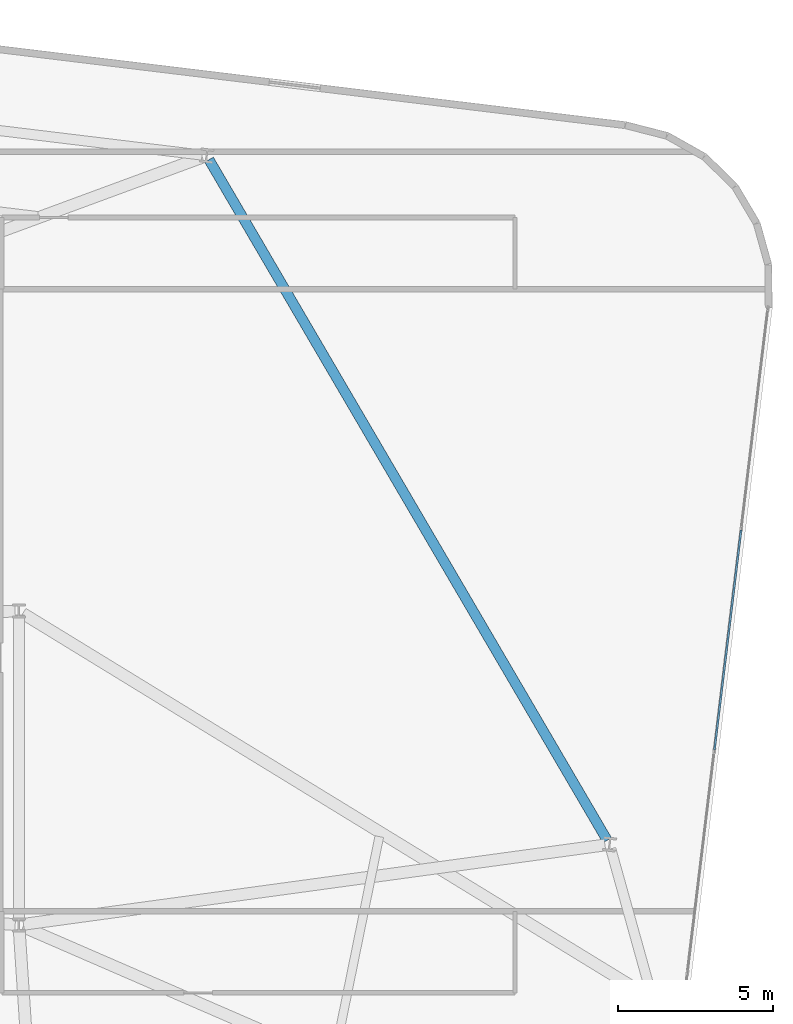
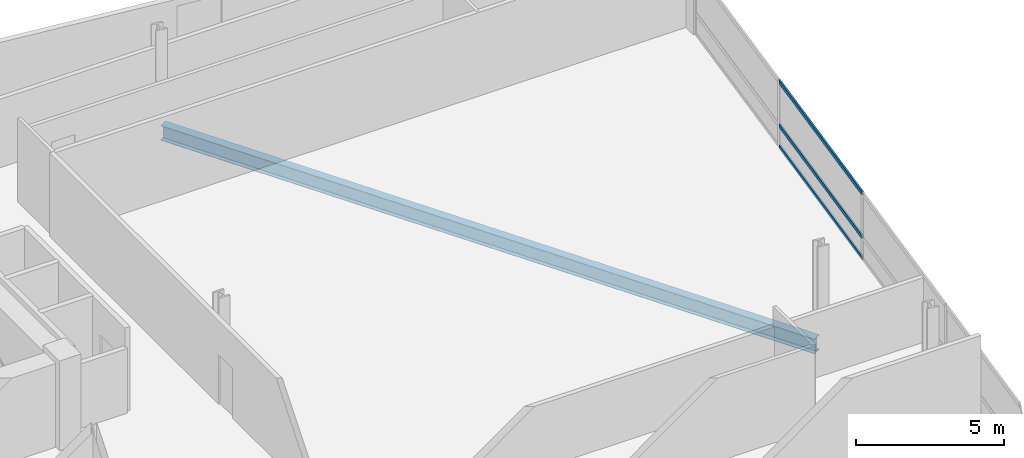
# One storey, part 17 of 26: 3 members, 1 beam, 1 element without a shape of its own.
"""IFC4 building model written with IfcOpenShell, lengths in metres."""

from ifc_helpers import new_model, si_unit, direction, frame, origin, origin_2d, place, context, subcontext, project, spatial, hollow_rectangle, i_section, extrude, material, layer, layer_set, material_profile, profile_set, type_object, element, aggregate, save


model = new_model("IFC4")

# Units and contexts
model_context = context("Model", 3, precision=1e-05, world=origin(), true_north=direction((0.0, 1.0)))
body_context = subcontext(model_context, "Body", "Model", "MODEL_VIEW")
ifc_project = project(units=[si_unit("LENGTHUNIT", "METRE"), si_unit("AREAUNIT", "SQUARE_METRE"), si_unit("VOLUMEUNIT", "CUBIC_METRE"), si_unit("PLANEANGLEUNIT", "RADIAN"), si_unit("MASSUNIT", "GRAM", prefix="KILO")], contexts=[model_context])

# Site, building, storey
site_placement = place(None, origin())
site = spatial("IfcSite", under=ifc_project, at=site_placement, CompositionType="ELEMENT")
building_placement = place(site_placement, origin())
building = spatial("IfcBuilding", under=site, at=building_placement, Name="Varnelok Gate Tower", CompositionType="ELEMENT")
storey_placement = place(building_placement, frame((0.0, 0.0, 155.0)))
storey = spatial("IfcBuildingStorey", under=building, at=storey_placement, Name="L39", CompositionType="ELEMENT", Elevation=155.0)

# Beam
ifc_material_1 = material(Name="Structural Steel ASTM A992 Grade 50", Category="steel")
ifc_material_profile_1 = material_profile(ifc_material_1, i_section(OverallWidth=0.323974609375, OverallDepth=0.611083984375, WebThickness=0.0126953125, FlangeThickness=0.01904296875, FilletRadius=0.01806640625, at=origin_2d()), Name="W24X104")
ifc_profile_set_1 = profile_set([ifc_material_profile_1], Name="Structural Steel ASTM A992 Grade 50")
beam_type = type_object("IfcBeamType", Name="BM-SPN-W24X104", PredefinedType="SPANDREL", material=ifc_profile_set_1)
beam_placement = place(storey_placement, frame((72.96875, 21.528076171875, -0.555419921875), z_axis=(-0.504960797965, 0.863142278259, 0.0), x_axis=(-0.863142278259, -0.504960797965, 0.0)))
element("IfcBeam", 1, at=beam_placement, inside=storey, type_object=beam_type, Name="L39 Perimeter Spandrel Beam 8", PredefinedType="SPANDREL", context=body_context, shape_type="SweptSolid", body=[
    extrude(i_section(OverallWidth=0.323974609375, OverallDepth=0.611083984375, WebThickness=0.0126953125, FlangeThickness=0.01904296875, FilletRadius=0.01806640625, at=origin_2d()), origin(), (0.0, 0.0, 1.0), 25.425537109375),
])

# Curtain wall, members
ifc_material_2 = material(Name="Anodized Aluminum Alloy 6063-T6", Category="aluminium")
ifc_layer = layer(ifc_material_2, 0.179931640625)
ifc_layer_set = layer_set([ifc_layer], Name="Anodized Aluminum Alloy 6063-T6")
curtain_wall_type = type_object("IfcCurtainWallType", Name="CW3-HOTEL-VISION", PredefinedType="USERDEFINED", material=ifc_layer_set)
curtain_wall_placement = place(storey_placement, origin())
curtain_wall = element("IfcCurtainWall", 2, at=curtain_wall_placement, inside=storey, type_object=curtain_wall_type, Name="L39 East End Vision Curtain Wall", ObjectType="UNITISED CURTAIN WALL", PredefinedType="USERDEFINED")
ifc_material_profile_2 = material_profile(ifc_material_2, hollow_rectangle(XDim=0.06494140625, YDim=0.159912109375, WallThickness=0.00390625, at=origin_2d()), Name="ALU160X65X4")
ifc_profile_set_2 = profile_set([ifc_material_profile_2], Name="Anodized Aluminum Alloy 6063-T6")
member_type = type_object("IfcMemberType", Name="CW-TRAN-160", PredefinedType="USERDEFINED", material=ifc_profile_set_2)
member_1_placement = place(storey_placement, frame((77.286376953125, 31.529296875, 0.032470703125), z_axis=(-0.120340564253, -0.992732667235, 0.0), x_axis=(0.992732667235, -0.120340564253, 0.0)))
member_1 = element("IfcMember", 3, at=member_1_placement, type_object=member_type, Name="CW3 transom 2.1", ObjectType="TRANSOM", PredefinedType="USERDEFINED", context=body_context, shape_type="SweptSolid", body=[
    extrude(hollow_rectangle(XDim=0.06494140625, YDim=0.159912109375, WallThickness=0.00390625, at=origin_2d()), origin(), (0.0, 0.0, 1.0), 7.135009765625),
])
member_2_placement = place(storey_placement, frame((77.286376953125, 31.529296875, 0.89990234375), z_axis=(-0.120340564253, -0.992732667235, 0.0), x_axis=(0.992732667235, -0.120340564253, 0.0)))
member_2 = element("IfcMember", 4, at=member_2_placement, type_object=member_type, Name="CW3 transom 2.2", ObjectType="TRANSOM", PredefinedType="USERDEFINED", context=body_context, shape_type="SweptSolid", body=[
    extrude(hollow_rectangle(XDim=0.06494140625, YDim=0.159912109375, WallThickness=0.00390625, at=origin_2d()), origin(), (0.0, 0.0, 1.0), 7.135009765625),
])
member_3_placement = place(storey_placement, frame((77.286376953125, 31.529296875, 2.697509765625), z_axis=(-0.120340564253, -0.992732667235, 0.0), x_axis=(0.992732667235, -0.120340564253, 0.0)))
member_3 = element("IfcMember", 5, at=member_3_placement, type_object=member_type, Name="CW3 transom 2.3", ObjectType="TRANSOM", PredefinedType="USERDEFINED", context=body_context, shape_type="SweptSolid", body=[
    extrude(hollow_rectangle(XDim=0.06494140625, YDim=0.159912109375, WallThickness=0.00390625, at=origin_2d()), origin(), (0.0, 0.0, 1.0), 7.135009765625),
])
aggregate(curtain_wall, [member_1, member_2, member_3])

save(model, "model.ifc")
